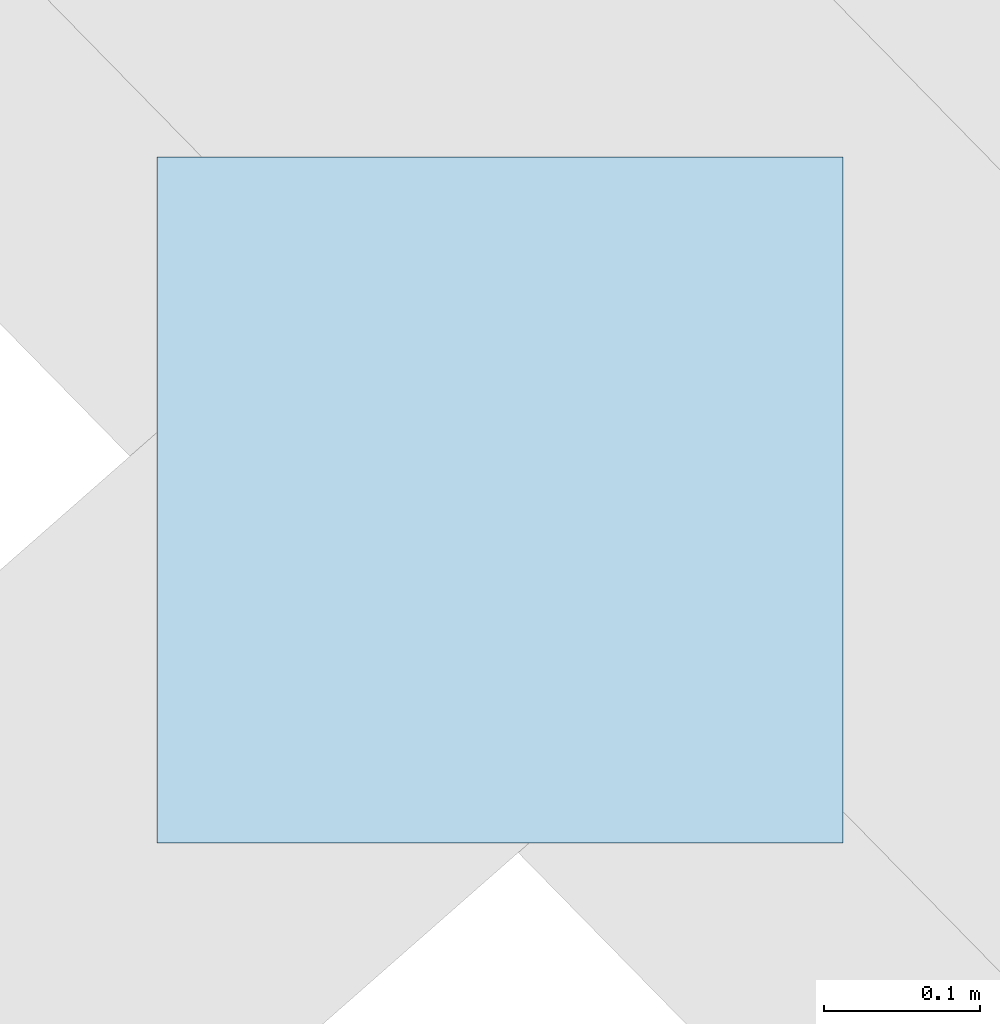
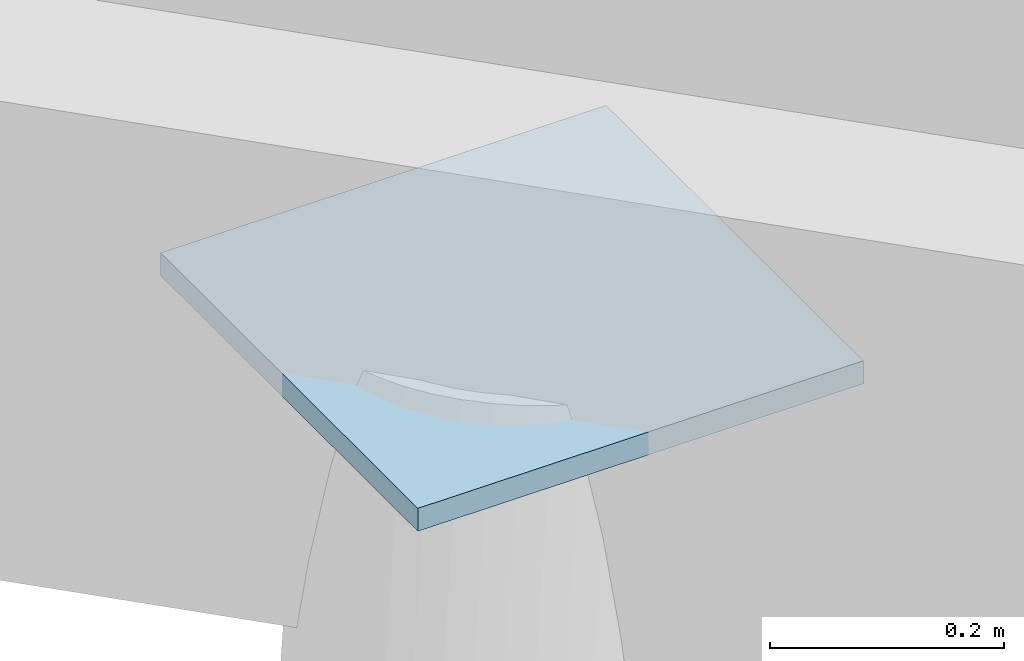
# One storey, part 110 of 115: 1 plate.
"""IFC4 building model written with IfcOpenShell, lengths in metres."""

from ifc_helpers import new_model, si_unit, direction, frame, origin, origin_2d, place, context, subcontext, project, spatial, rectangle, extrude, material, layer, layer_set, type_object, element, save


model = new_model("IFC4")

# Units and contexts
model_context = context("Model", 3, precision=1e-05, world=origin(), true_north=direction((0.0, 1.0)))
body_context = subcontext(model_context, "Body", "Model", "MODEL_VIEW")
ifc_project = project(units=[si_unit("LENGTHUNIT", "METRE"), si_unit("AREAUNIT", "SQUARE_METRE"), si_unit("VOLUMEUNIT", "CUBIC_METRE"), si_unit("PLANEANGLEUNIT", "RADIAN"), si_unit("MASSUNIT", "GRAM", prefix="KILO")], contexts=[model_context])

# Site, building, storey
site_placement = place(None, origin())
site = spatial("IfcSite", under=ifc_project, at=site_placement, CompositionType="ELEMENT")
building_placement = place(site_placement, origin())
building = spatial("IfcBuilding", under=site, at=building_placement, Name="Zlatoyarsky Gate Stadium", CompositionType="ELEMENT")
storey_placement = place(building_placement, frame((0.0, 0.0, 31.800048828125)))
storey = spatial("IfcBuildingStorey", under=building, at=storey_placement, Name="RF", CompositionType="ELEMENT", Elevation=31.800048828125)

# Plate
ifc_material = material(Name="Steel S355", Category="steel")
ifc_layer = layer(ifc_material, 0.02392578125)
ifc_layer_set = layer_set([ifc_layer], Name="Steel S355")
plate_type = type_object("IfcPlateType", Name="STEEL HOLLOW CHORD SPLICE SHEET 24", PredefinedType="SHEET", material=ifc_layer_set)
plate_placement = place(storey_placement, frame((186.80029296875, 132.095703125, 7.137939453125), z_axis=(0.0, 0.0, 1.0), x_axis=(1.0, 0.0, 0.0)))
element("IfcPlate", 1, at=plate_placement, inside=storey, type_object=plate_type, Name="Node closure plate ND-SP1 NCAP-RIB-02-3-5T", PredefinedType="SHEET", context=body_context, shape_type="SweptSolid", body=[
    extrude(rectangle(XDim=0.43994140625, YDim=0.43994140625, at=origin_2d()), origin(), (0.0, 0.0, 1.0), 0.02392578125),
])

save(model, "model.ifc")
